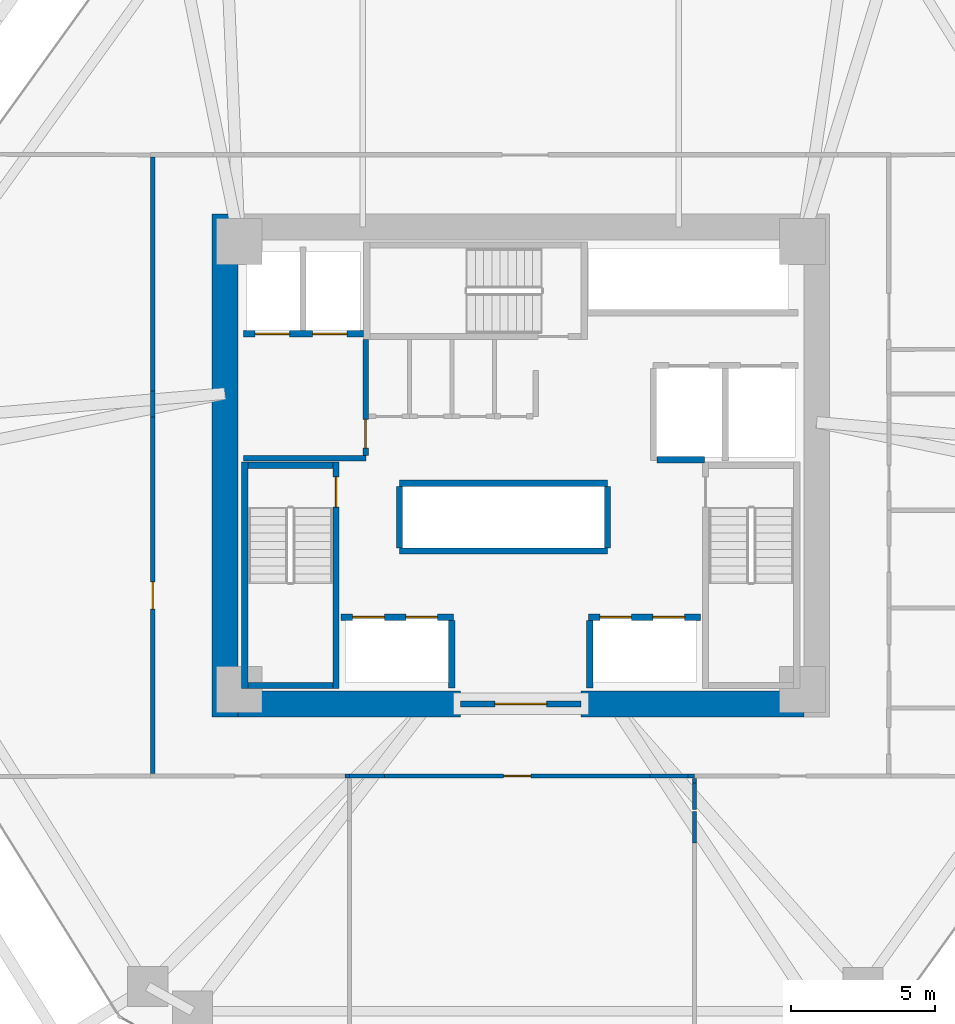
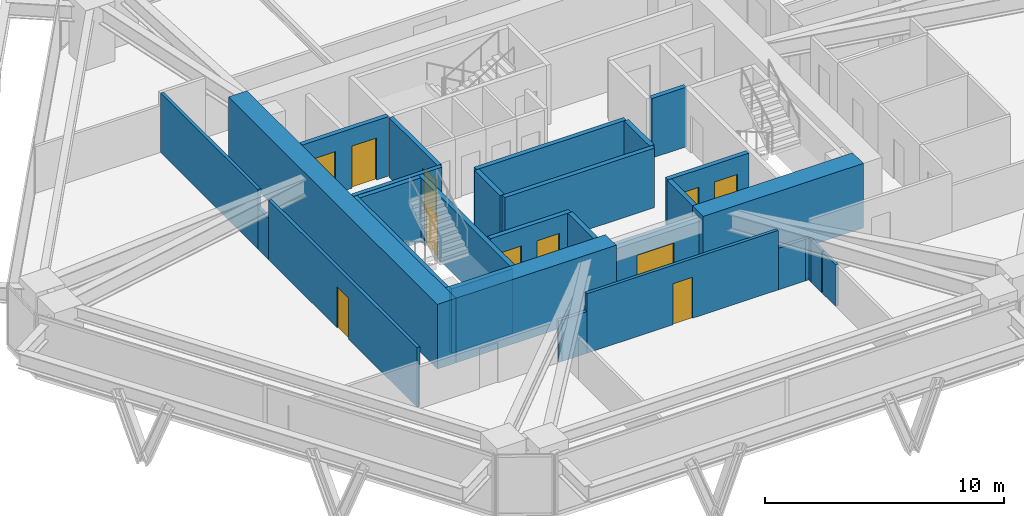
# One storey, part 11 of 14: 31 walls, 11 doors, 11 openings.
"""IFC4 building model written with IfcOpenShell, lengths in metres."""

from ifc_helpers import new_model, si_unit, direction, frame, frame_2d, origin, place, context, subcontext, project, spatial, rectangle, extrude, source, transform, mapped, material, layer, layer_set, type_object, type_shapes, element, fill, save


model = new_model("IFC4")

# Units and contexts
model_context = context("Model", 3, precision=1e-05, world=origin(), true_north=direction((0.0, 1.0)))
body_context = subcontext(model_context, "Body", "Model", "MODEL_VIEW")
ifc_project = project(units=[si_unit("LENGTHUNIT", "METRE"), si_unit("AREAUNIT", "SQUARE_METRE"), si_unit("VOLUMEUNIT", "CUBIC_METRE"), si_unit("PLANEANGLEUNIT", "RADIAN"), si_unit("MASSUNIT", "GRAM", prefix="KILO")], contexts=[model_context])

# Site, building, storey
site_placement = place(None, origin())
site = spatial("IfcSite", under=ifc_project, at=site_placement, CompositionType="ELEMENT")
building_placement = place(site_placement, origin())
building = spatial("IfcBuilding", under=site, at=building_placement, Name="Durnholm Broadcast Tower", CompositionType="ELEMENT")
storey_placement = place(building_placement, frame((0.0, 0.0, 68.699951171875)))
storey = spatial("IfcBuildingStorey", under=building, at=storey_placement, Name="L17", CompositionType="ELEMENT", Elevation=68.699951171875)

# Walls
ifc_material_1 = material(Name="Concrete C70/85", Category="concrete")
ifc_layer_1 = layer(ifc_material_1, 0.89990234375)
ifc_layer_set_1 = layer_set([ifc_layer_1], Name="Concrete C70/85")
wall_type_1 = type_object("IfcWallType", Name="WALL-CW-900", PredefinedType="SHEAR", material=ifc_layer_set_1)
wall_1_placement = place(storey_placement, frame((-10.300048828125, -8.75, 0.0), z_axis=(0.0, 0.0, 1.0), x_axis=(0.0, 1.0, 0.0)))
element("IfcWall", 1, at=wall_1_placement, inside=storey, type_object=wall_type_1, Name="L17 central core shear wall CW-WEST", PredefinedType="SHEAR", context=body_context, shape_type="SweptSolid", body=[
    extrude(rectangle(XDim=17.5, YDim=0.89990234375, at=frame_2d((8.75, 0.0))), origin(), (0.0, 0.0, 1.0), 3.300048828125),
])
for number, where, z_axis, x_axis, name in (
    (2, (-9.85009765625, -8.300048828125, 0.0), (0.0, 0.0, 1.0), (1.0, 0.0, 0.0), "L17 central core shear wall CW-S1"),
    (3, (2.10009765625, -8.300048828125, 0.0), (0.0, 0.0, 1.0), (1.0, 0.0, 0.0), "L17 central core shear wall CW-S2"),
):
    element("IfcWall", number, at=place(storey_placement, frame(where, z_axis=z_axis, x_axis=x_axis)), inside=storey, type_object=wall_type_1, Name=name, PredefinedType="SHEAR", context=body_context, shape_type="SweptSolid", body=[
        extrude(rectangle(XDim=7.75, YDim=0.89990234375, at=frame_2d((3.875, 0.0))), origin(), (0.0, 0.0, 1.0), 3.300048828125),
    ])

# Wall, opening, door
ifc_material_2 = material(Name="Fire-Rated Gypsum Shaftwall", Category="concrete")
ifc_layer_2 = layer(ifc_material_2, 0.199951171875)
ifc_layer_set_2 = layer_set([ifc_layer_2], Name="Fire-Rated Gypsum Shaftwall")
wall_type_2 = type_object("IfcWallType", Name="WALL-LOB-200", PredefinedType="SOLIDWALL", material=ifc_layer_set_2)
wall_2_placement = place(storey_placement, frame((-2.10009765625, -8.300048828125, 0.0), z_axis=(0.0, 0.0, 1.0), x_axis=(1.0, 0.0, 0.0)))
wall_2 = element("IfcWall", 4, at=wall_2_placement, inside=storey, type_object=wall_type_2, Name="L17 south core lobby fire screen", PredefinedType="SOLIDWALL", context=body_context, shape_type="SweptSolid", body=[
    extrude(rectangle(XDim=4.2001953125, YDim=0.199951171875, at=frame_2d((2.10009765625, 0.0))), origin(), (0.0, 0.0, 1.0), 3.045166015625),
])
opening_1_placement = place(wall_2_placement, frame((1.199951171875, 0.0, 0.0)))
opening_1 = element("IfcOpeningElement", 5, at=opening_1_placement, cuts=wall_2, Name="Opening DP-60", PredefinedType="OPENING", context=body_context, shape_type="SweptSolid", body=[
    extrude(rectangle(XDim=1.800048828125, YDim=2.14990234375, at=frame_2d((0.89990234375, 1.074951171875))), frame((0.0, 0.10986328125, 0.0), z_axis=(0.0, -1.0, 0.0), x_axis=(1.0, 0.0, 0.0)), (0.0, 0.0, 1.0), 0.219970703125),
])
ifc_material_3 = material(Name="Fire-Rated Double Corridor Door", Category="steel")
ifc_layer_3 = layer(ifc_material_3, 0.050048828125)
ifc_layer_set_3 = layer_set([ifc_layer_3], Name="Fire-Rated Double Corridor Door")
door_type_1 = type_object("IfcDoorType", Name="DOOR-PAIR-FD60", OperationType="DOUBLE_DOOR_SINGLE_SWING", PredefinedType="DOOR", material=ifc_layer_set_3)
shared_shape_1 = source(origin(), body_context, "Body", "SweptSolid", [
    extrude(rectangle(XDim=1.800048828125, YDim=2.14990234375, at=frame_2d((0.89990234375, 1.074951171875))), frame((0.0, 0.02490234375, 0.0), z_axis=(0.0, -1.0, 0.0), x_axis=(1.0, 0.0, 0.0)), (0.0, 0.0, 1.0), 0.050048828125),
])
type_shapes(door_type_1, [shared_shape_1])
door_1_placement = place(opening_1_placement, origin())
door_1 = element("IfcDoor", 6, at=door_1_placement, inside=storey, type_object=door_type_1, Name="L17 south core lobby double fire door", OperationType="DOUBLE_DOOR_SINGLE_SWING", OverallHeight=2.14990234375, OverallWidth=1.800048828125, PredefinedType="DOOR", context=body_context, shape_type="MappedRepresentation", body=[
    mapped(shared_shape_1, transform((0.0, 0.0, 0.0), x_axis=(1.0, 0.0, 0.0), y_axis=(0.0, 1.0, 0.0), z_axis=(0.0, 0.0, 1.0), scale=1.0)),
])
fill(opening_1, door_1)

# Wall
wall_3_placement = place(storey_placement, frame((-9.64990234375, 0.25, 0.0), z_axis=(0.0, 0.0, 1.0), x_axis=(1.0, 0.0, 0.0)))
element("IfcWall", 7, at=wall_3_placement, inside=storey, type_object=wall_type_2, Name="L17 Fire Service Access Elevator lobby south wall", PredefinedType="SOLIDWALL", context=body_context, shape_type="SweptSolid", body=[
    extrude(rectangle(XDim=4.27001953125, YDim=0.199951171875, at=frame_2d((2.135009765625, 0.0))), origin(), (0.0, 0.0, 1.0), 3.045166015625),
])

# Wall, opening, door
wall_4_placement = place(storey_placement, frame((-5.39990234375, 0.35400390625, 0.0), z_axis=(0.0, 0.0, 1.0), x_axis=(0.0, 1.0, 0.0)))
wall_4 = element("IfcWall", 8, at=wall_4_placement, inside=storey, type_object=wall_type_2, Name="L17 Fire Service Access Elevator lobby east fire wall", PredefinedType="SOLIDWALL", context=body_context, shape_type="SweptSolid", body=[
    extrude(rectangle(XDim=4.02587890625, YDim=0.199951171875, at=frame_2d((2.012939453125, 0.0))), origin(), (0.0, 0.0, 1.0), 3.045166015625),
])
opening_2_placement = place(wall_4_placement, frame((0.24609375, 0.0, 0.0)))
opening_2 = element("IfcOpeningElement", 9, at=opening_2_placement, cuts=wall_4, Name="Opening DL-60R", PredefinedType="OPENING", context=body_context, shape_type="SweptSolid", body=[
    extrude(rectangle(XDim=1.0, YDim=2.14990234375, at=frame_2d((0.5, 1.074951171875))), frame((0.0, 0.10986328125, 0.0), z_axis=(0.0, -1.0, 0.0), x_axis=(1.0, 0.0, 0.0)), (0.0, 0.0, 1.0), 0.219970703125),
])
ifc_material_4 = material(Name="Fire-Rated Timber/Steel Door", Category="steel")
ifc_layer_4 = layer(ifc_material_4, 0.050048828125)
ifc_layer_set_4 = layer_set([ifc_layer_4], Name="Fire-Rated Timber/Steel Door")
door_type_2 = type_object("IfcDoorType", Name="DOOR-LOB-FD60-R", OperationType="NOTDEFINED", PredefinedType="DOOR", material=ifc_layer_set_4)
shared_shape_2 = source(origin(), body_context, "Body", "SweptSolid", [
    extrude(rectangle(XDim=1.0, YDim=2.14990234375, at=frame_2d((0.5, 1.074951171875))), frame((0.0, 0.02490234375, 0.0), z_axis=(0.0, -1.0, 0.0), x_axis=(1.0, 0.0, 0.0)), (0.0, 0.0, 1.0), 0.050048828125),
])
type_shapes(door_type_2, [shared_shape_2])
door_2_placement = place(opening_2_placement, origin())
door_2 = element("IfcDoor", 10, at=door_2_placement, inside=storey, type_object=door_type_2, Name="L17 Fire Service Access Elevator lobby smoke door", OperationType="SINGLE_SWING_RIGHT", OverallHeight=2.14990234375, OverallWidth=1.0, PredefinedType="DOOR", context=body_context, shape_type="MappedRepresentation", body=[
    mapped(shared_shape_2, transform((0.0, 0.0, 0.0), x_axis=(1.0, 0.0, 0.0), y_axis=(0.0, 1.0, 0.0), z_axis=(0.0, 0.0, 1.0), scale=1.0)),
])
fill(opening_2, door_2)

# Walls
ifc_material_5 = material(Name="Gypsum Metal Stud Partition", Category="concrete")
ifc_layer_5 = layer(ifc_material_5, 0.135009765625)
ifc_layer_set_5 = layer_set([ifc_layer_5], Name="Gypsum Metal Stud Partition")
wall_type_3 = type_object("IfcWallType", Name="WALL-PART-135", PredefinedType="PARTITIONING", material=ifc_layer_set_5)
wall_5_placement = place(storey_placement, frame((6.0400390625, -10.888916015625, 0.0), z_axis=(0.0, 0.0, 1.0), x_axis=(0.0, -1.0, 0.0)))
element("IfcWall", 11, at=wall_5_placement, inside=storey, type_object=wall_type_3, Name="L17 room dividing partition 10.11", PredefinedType="PARTITIONING", context=body_context, shape_type="SweptSolid", body=[
    extrude(rectangle(XDim=0.17333984375, YDim=0.135009765625, at=frame_2d((0.086669921875, 0.0))), origin(), (0.0, 0.0, 1.0), 2.130126953125),
])
wall_6_placement = place(storey_placement, frame((6.0400390625, -11.062255859375, 0.0), z_axis=(0.0, 0.0, 1.0), x_axis=(0.0, -1.0, 0.0)))
element("IfcWall", 12, at=wall_6_placement, inside=storey, type_object=wall_type_3, Name="L17 room dividing partition 10.11", PredefinedType="PARTITIONING", context=body_context, shape_type="SweptSolid", body=[
    extrude(rectangle(XDim=0.912841796875, YDim=0.135009765625, at=frame_2d((0.45654296875, 0.0))), origin(), (0.0, 0.0, 1.0), 2.130126953125),
])
wall_7_placement = place(storey_placement, frame((6.0400390625, -12.043212890625, 0.0), z_axis=(0.0, 0.0, 1.0), x_axis=(0.0, -1.0, 0.0)))
element("IfcWall", 13, at=wall_7_placement, inside=storey, type_object=wall_type_3, Name="L17 room dividing partition 10.11", PredefinedType="PARTITIONING", context=body_context, shape_type="SweptSolid", body=[
    extrude(rectangle(XDim=1.09423828125, YDim=0.135009765625, at=frame_2d((0.547119140625, 0.0))), origin(), (0.0, 0.0, 1.0), 2.130126953125),
])
ifc_material_6 = material(Name="Acoustic Gypsum Stud Partition", Category="concrete")
ifc_layer_6 = layer(ifc_material_6, 0.14990234375)
ifc_layer_set_6 = layer_set([ifc_layer_6], Name="Acoustic Gypsum Stud Partition")
wall_type_4 = type_object("IfcWallType", Name="WALL-PART-150", PredefinedType="PARTITIONING", material=ifc_layer_set_6)
wall_8_placement = place(storey_placement, frame((-6.12158203125, -10.81005859375, 0.0), z_axis=(0.0, 0.0, 1.0), x_axis=(1.0, 0.0, 0.0)))
element("IfcWall", 14, at=wall_8_placement, inside=storey, type_object=wall_type_4, Name="L17 Open Plan Broadcast Workspace 3 corridor partition", PredefinedType="PARTITIONING", context=body_context, shape_type="SweptSolid", body=[
    extrude(rectangle(XDim=0.16162109375, YDim=0.14990234375, at=frame_2d((0.080810546875, 0.0))), origin(), (0.0, 0.0, 1.0), 2.130126953125),
])

# Wall, opening, door
wall_9_placement = place(storey_placement, frame((-4.749755859375, -10.81005859375, 0.0), z_axis=(0.0, 0.0, 1.0), x_axis=(1.0, 0.0, 0.0)))
wall_9 = element("IfcWall", 15, at=wall_9_placement, inside=storey, type_object=wall_type_4, Name="L17 Satellite Briefing Meeting Room corridor partition", PredefinedType="PARTITIONING", context=body_context, shape_type="SweptSolid", body=[
    extrude(rectangle(XDim=9.2490234375, YDim=0.14990234375, at=frame_2d((4.62451171875, 0.0))), origin(), (0.0, 0.0, 1.0), 3.045166015625),
])
opening_3_placement = place(wall_9_placement, frame((4.1494140625, 0.0, 0.0)))
opening_3 = element("IfcOpeningElement", 16, at=opening_3_placement, cuts=wall_9, Name="Opening DR-95L", PredefinedType="OPENING", context=body_context, shape_type="SweptSolid", body=[
    extrude(rectangle(XDim=0.949951171875, YDim=2.10009765625, at=frame_2d((0.47509765625, 1.050048828125))), frame((0.0, 0.0849609375, 0.0), z_axis=(0.0, -1.0, 0.0), x_axis=(1.0, 0.0, 0.0)), (0.0, 0.0, 1.0), 0.169921875),
])
ifc_material_7 = material(Name="Acoustic Oak Veneer Timber Door", Category="wood")
ifc_layer_7 = layer(ifc_material_7, 0.050048828125)
ifc_layer_set_7 = layer_set([ifc_layer_7], Name="Acoustic Oak Veneer Timber Door")
door_type_3 = type_object("IfcDoorType", Name="DOOR-RM-950L", OperationType="NOTDEFINED", PredefinedType="DOOR", material=ifc_layer_set_7)
shared_shape_3 = source(origin(), body_context, "Body", "SweptSolid", [
    extrude(rectangle(XDim=0.949951171875, YDim=2.10009765625, at=frame_2d((0.47509765625, 1.050048828125))), frame((0.0, 0.02490234375, 0.0), z_axis=(0.0, -1.0, 0.0), x_axis=(1.0, 0.0, 0.0)), (0.0, 0.0, 1.0), 0.050048828125),
])
type_shapes(door_type_3, [shared_shape_3])
door_3_placement = place(opening_3_placement, origin())
door_3 = element("IfcDoor", 17, at=door_3_placement, inside=storey, type_object=door_type_3, Name="L17 Satellite Briefing Meeting Room entrance door", OperationType="SINGLE_SWING_LEFT", OverallHeight=2.10009765625, OverallWidth=0.949951171875, PredefinedType="DOOR", context=body_context, shape_type="MappedRepresentation", body=[
    mapped(shared_shape_3, transform((0.0, 0.0, 0.0), x_axis=(1.0, 0.0, 0.0), y_axis=(0.0, 1.0, 0.0), z_axis=(0.0, 0.0, 1.0), scale=1.0)),
])
fill(opening_3, door_3)

# Walls
wall_10_placement = place(storey_placement, frame((5.8173828125, -10.81005859375, 0.0), z_axis=(0.0, 0.0, 1.0), x_axis=(1.0, 0.0, 0.0)))
element("IfcWall", 18, at=wall_10_placement, inside=storey, type_object=wall_type_4, Name="L17 Satellite Briefing Meeting Room corridor partition", PredefinedType="PARTITIONING", context=body_context, shape_type="SweptSolid", body=[
    extrude(rectangle(XDim=0.22265625, YDim=0.14990234375, at=frame_2d((0.111328125, 0.0))), origin(), (0.0, 0.0, 1.0), 2.130126953125),
])
wall_11_placement = place(storey_placement, frame((-5.9599609375, -10.81005859375, 0.0), z_axis=(0.0, 0.0, 1.0), x_axis=(1.0, 0.0, 0.0)))
element("IfcWall", 19, at=wall_11_placement, inside=storey, type_object=wall_type_4, Name="L17 Satellite Briefing Meeting Room corridor partition", PredefinedType="PARTITIONING", context=body_context, shape_type="SweptSolid", body=[
    extrude(rectangle(XDim=1.210205078125, YDim=0.14990234375, at=frame_2d((0.60498046875, 0.0))), origin(), (0.0, 0.0, 1.0), 2.130126953125),
])
wall_12_placement = place(storey_placement, frame((4.499267578125, -10.81005859375, 0.0), z_axis=(0.0, 0.0, 1.0), x_axis=(1.0, 0.0, 0.0)))
element("IfcWall", 20, at=wall_12_placement, inside=storey, type_object=wall_type_4, Name="L17 Satellite Briefing Meeting Room corridor partition", PredefinedType="PARTITIONING", context=body_context, shape_type="SweptSolid", body=[
    extrude(rectangle(XDim=1.318115234375, YDim=0.14990234375, at=frame_2d((0.6591796875, 0.0))), origin(), (0.0, 0.0, 1.0), 2.130126953125),
])
wall_13_placement = place(storey_placement, frame((-12.81005859375, 10.73095703125, 0.0), z_axis=(0.0, 0.0, 1.0), x_axis=(0.0, -1.0, 0.0)))
element("IfcWall", 21, at=wall_13_placement, inside=storey, type_object=wall_type_4, Name="L17 Catering Kitchen corridor partition", PredefinedType="PARTITIONING", context=body_context, shape_type="SweptSolid", body=[
    extrude(rectangle(XDim=8.138671875, YDim=0.14990234375, at=frame_2d((4.0693359375, 0.0))), origin(), (0.0, 0.0, 1.0), 3.045166015625),
])

# Wall, opening, door
wall_14_placement = place(storey_placement, frame((-12.81005859375, 1.682373046875, 0.0), z_axis=(0.0, 0.0, 1.0), x_axis=(0.0, -1.0, 0.0)))
wall_14 = element("IfcWall", 22, at=wall_14_placement, inside=storey, type_object=wall_type_4, Name="L17 Catering Kitchen corridor partition", PredefinedType="PARTITIONING", context=body_context, shape_type="SweptSolid", body=[
    extrude(rectangle(XDim=12.413330078125, YDim=0.14990234375, at=frame_2d((6.20654296875, 0.0))), origin(), (0.0, 0.0, 1.0), 3.045166015625),
])
opening_4_placement = place(wall_14_placement, frame((5.731689453125, 0.0, 0.0)))
opening_4 = element("IfcOpeningElement", 23, at=opening_4_placement, cuts=wall_14, Name="Opening DR-95L", PredefinedType="OPENING", context=body_context, shape_type="SweptSolid", body=[
    extrude(rectangle(XDim=0.949951171875, YDim=2.10009765625, at=frame_2d((0.47509765625, 1.050048828125))), frame((0.0, 0.0849609375, 0.0), z_axis=(0.0, -1.0, 0.0), x_axis=(1.0, 0.0, 0.0)), (0.0, 0.0, 1.0), 0.169921875),
])
door_4_placement = place(opening_4_placement, origin())
door_4 = element("IfcDoor", 24, at=door_4_placement, inside=storey, type_object=door_type_3, Name="L17 Catering Kitchen entrance door", OperationType="SINGLE_SWING_LEFT", OverallHeight=2.10009765625, OverallWidth=0.949951171875, PredefinedType="DOOR", context=body_context, shape_type="MappedRepresentation", body=[
    mapped(shared_shape_3, transform((0.0, 0.0, 0.0), x_axis=(1.0, 0.0, 0.0), y_axis=(0.0, 1.0, 0.0), z_axis=(0.0, 0.0, 1.0), scale=1.0)),
])
fill(opening_4, door_4)

# Wall
wall_15_placement = place(storey_placement, frame((-12.81005859375, 2.59228515625, 0.0), z_axis=(0.0, 0.0, 1.0), x_axis=(0.0, -1.0, 0.0)))
element("IfcWall", 25, at=wall_15_placement, inside=storey, type_object=wall_type_4, Name="L17 Catering Kitchen corridor partition", PredefinedType="PARTITIONING", context=body_context, shape_type="SweptSolid", body=[
    extrude(rectangle(XDim=0.909912109375, YDim=0.14990234375, at=frame_2d((0.455078125, 0.0))), origin(), (0.0, 0.0, 1.0), 2.130126953125),
])

# Wall, openings, doors
ifc_material_8 = material(Name="Concrete Blockwork C30/37", Category="masonry")
ifc_layer_8 = layer(ifc_material_8, 0.219970703125)
ifc_layer_set_8 = layer_set([ifc_layer_8], Name="Concrete Blockwork C30/37")
wall_type_5 = type_object("IfcWallType", Name="WALL-SHAFT-220", PredefinedType="SOLIDWALL", material=ifc_layer_set_8)
wall_16_placement = place(storey_placement, frame((-9.64990234375, 4.580078125, 0.0), z_axis=(0.0, 0.0, 1.0), x_axis=(1.0, 0.0, 0.0)))
wall_16 = element("IfcWall", 26, at=wall_16_placement, inside=storey, type_object=wall_type_5, Name="L17 FSAE hoistway front fire wall", PredefinedType="SOLIDWALL", context=body_context, shape_type="SweptSolid", body=[
    extrude(rectangle(XDim=4.1748046875, YDim=0.219970703125, at=frame_2d((2.08740234375, 0.0))), origin(), (0.0, 0.0, 1.0), 3.045166015625),
])
opening_5_placement = place(wall_16_placement, frame((0.39990234375, 0.0, 0.0)))
opening_5 = element("IfcOpeningElement", 27, at=opening_5_placement, cuts=wall_16, Name="Opening LD-FSAE-2", PredefinedType="OPENING", context=body_context, shape_type="SweptSolid", body=[
    extrude(rectangle(XDim=1.199951171875, YDim=2.14990234375, at=frame_2d((0.60009765625, 1.074951171875))), frame((0.0, 0.1201171875, 0.0), z_axis=(0.0, -1.0, 0.0), x_axis=(1.0, 0.0, 0.0)), (0.0, 0.0, 1.0), 0.239990234375),
])
opening_6_placement = place(wall_16_placement, frame((2.39990234375, 0.0, 0.0)))
opening_6 = element("IfcOpeningElement", 28, at=opening_6_placement, cuts=wall_16, Name="Opening LD-FSAE-1", PredefinedType="OPENING", context=body_context, shape_type="SweptSolid", body=[
    extrude(rectangle(XDim=1.199951171875, YDim=2.14990234375, at=frame_2d((0.60009765625, 1.074951171875))), frame((0.0, 0.1201171875, 0.0), z_axis=(0.0, -1.0, 0.0), x_axis=(1.0, 0.0, 0.0)), (0.0, 0.0, 1.0), 0.239990234375),
])
ifc_material_9 = material(Name="Fire Service Access Sliding Landing Door", Category="steel")
ifc_layer_9 = layer(ifc_material_9, 0.050048828125)
ifc_layer_set_9 = layer_set([ifc_layer_9], Name="Fire Service Access Sliding Landing Door")
door_type_4 = type_object("IfcDoorType", Name="DOOR-LIFT-FSAE", OperationType="DOUBLE_DOOR_SLIDING", PredefinedType="DOOR", material=ifc_layer_set_9)
shared_shape_4 = source(origin(), body_context, "Body", "SweptSolid", [
    extrude(rectangle(XDim=1.199951171875, YDim=2.14990234375, at=frame_2d((0.60009765625, 1.074951171875))), frame((0.0, 0.02490234375, 0.0), z_axis=(0.0, -1.0, 0.0), x_axis=(1.0, 0.0, 0.0)), (0.0, 0.0, 1.0), 0.050048828125),
])
type_shapes(door_type_4, [shared_shape_4])
door_5_placement = place(opening_5_placement, origin())
door_5 = element("IfcDoor", 29, at=door_5_placement, inside=storey, type_object=door_type_4, Name="L17 Fire Service Access Elevator FSAE-2 sliding landing door", OperationType="DOUBLE_DOOR_SLIDING", OverallHeight=2.14990234375, OverallWidth=1.199951171875, PredefinedType="DOOR", context=body_context, shape_type="MappedRepresentation", body=[
    mapped(shared_shape_4, transform((0.0, 0.0, 0.0), x_axis=(1.0, 0.0, 0.0), y_axis=(0.0, 1.0, 0.0), z_axis=(0.0, 0.0, 1.0), scale=1.0)),
])
fill(opening_5, door_5)
door_6_placement = place(opening_6_placement, origin())
door_6 = element("IfcDoor", 30, at=door_6_placement, inside=storey, type_object=door_type_4, Name="L17 Fire Service Access Elevator FSAE-1 sliding landing door", OperationType="DOUBLE_DOOR_SLIDING", OverallHeight=2.14990234375, OverallWidth=1.199951171875, PredefinedType="DOOR", context=body_context, shape_type="MappedRepresentation", body=[
    mapped(shared_shape_4, transform((0.0, 0.0, 0.0), x_axis=(1.0, 0.0, 0.0), y_axis=(0.0, 1.0, 0.0), z_axis=(0.0, 0.0, 1.0), scale=1.0)),
])
fill(opening_6, door_6)

# Wall
wall_17_placement = place(storey_placement, frame((4.73388671875, 0.199951171875, 0.0), z_axis=(0.0, 0.0, 1.0), x_axis=(1.0, 0.0, 0.0)))
element("IfcWall", 31, at=wall_17_placement, inside=storey, type_object=wall_type_5, Name="L17 freight service lift SVL-2 south wall", PredefinedType="SOLIDWALL", context=body_context, shape_type="SweptSolid", body=[
    extrude(rectangle(XDim=1.666015625, YDim=0.219970703125, at=frame_2d((0.8330078125, 0.0))), origin(), (0.0, 0.0, 1.0), 3.045166015625),
])

# Wall, openings, doors
wall_18_placement = place(storey_placement, frame((-6.25, -5.280029296875, 0.0), z_axis=(0.0, 0.0, 1.0), x_axis=(1.0, 0.0, 0.0)))
wall_18 = element("IfcWall", 32, at=wall_18_placement, inside=storey, type_object=wall_type_5, Name="L17 low-rise bank P1 west front wall", PredefinedType="SOLIDWALL", context=body_context, shape_type="SweptSolid", body=[
    extrude(rectangle(XDim=3.89990234375, YDim=0.219970703125, at=frame_2d((1.949951171875, 0.0))), origin(), (0.0, 0.0, 1.0), 3.045166015625),
])
opening_7_placement = place(wall_18_placement, frame((0.39990234375, 0.0, 0.0)))
opening_7 = element("IfcOpeningElement", 33, at=opening_7_placement, cuts=wall_18, Name="Opening LD-LP1-1", PredefinedType="OPENING", context=body_context, shape_type="SweptSolid", body=[
    extrude(rectangle(XDim=1.10009765625, YDim=2.14990234375, at=frame_2d((0.550048828125, 1.074951171875))), frame((0.0, 0.1201171875, 0.0), z_axis=(0.0, -1.0, 0.0), x_axis=(1.0, 0.0, 0.0)), (0.0, 0.0, 1.0), 0.239990234375),
])
opening_8_placement = place(wall_18_placement, frame((2.25, 0.0, 0.0)))
opening_8 = element("IfcOpeningElement", 34, at=opening_8_placement, cuts=wall_18, Name="Opening LD-LP1-2", PredefinedType="OPENING", context=body_context, shape_type="SweptSolid", body=[
    extrude(rectangle(XDim=1.10009765625, YDim=2.14990234375, at=frame_2d((0.550048828125, 1.074951171875))), frame((0.0, 0.1201171875, 0.0), z_axis=(0.0, -1.0, 0.0), x_axis=(1.0, 0.0, 0.0)), (0.0, 0.0, 1.0), 0.239990234375),
])
ifc_material_10 = material(Name="Stainless Steel Sliding Elevator Landing Door", Category="steel")
ifc_layer_10 = layer(ifc_material_10, 0.050048828125)
ifc_layer_set_10 = layer_set([ifc_layer_10], Name="Stainless Steel Sliding Elevator Landing Door")
door_type_5 = type_object("IfcDoorType", Name="DOOR-LIFT-PAX", OperationType="DOUBLE_DOOR_SLIDING", PredefinedType="DOOR", material=ifc_layer_set_10)
shared_shape_5 = source(origin(), body_context, "Body", "SweptSolid", [
    extrude(rectangle(XDim=1.10009765625, YDim=2.14990234375, at=frame_2d((0.550048828125, 1.074951171875))), frame((0.0, 0.02490234375, 0.0), z_axis=(0.0, -1.0, 0.0), x_axis=(1.0, 0.0, 0.0)), (0.0, 0.0, 1.0), 0.050048828125),
])
type_shapes(door_type_5, [shared_shape_5])
door_7_placement = place(opening_7_placement, origin())
door_7 = element("IfcDoor", 35, at=door_7_placement, inside=storey, type_object=door_type_5, Name="L17 passenger elevator LP1-1 sliding landing door", OperationType="DOUBLE_DOOR_SLIDING", OverallHeight=2.14990234375, OverallWidth=1.10009765625, PredefinedType="DOOR", context=body_context, shape_type="MappedRepresentation", body=[
    mapped(shared_shape_5, transform((0.0, 0.0, 0.0), x_axis=(1.0, 0.0, 0.0), y_axis=(0.0, 1.0, 0.0), z_axis=(0.0, 0.0, 1.0), scale=1.0)),
])
fill(opening_7, door_7)
door_8_placement = place(opening_8_placement, origin())
door_8 = element("IfcDoor", 36, at=door_8_placement, inside=storey, type_object=door_type_5, Name="L17 passenger elevator LP1-2 sliding landing door", OperationType="DOUBLE_DOOR_SLIDING", OverallHeight=2.14990234375, OverallWidth=1.10009765625, PredefinedType="DOOR", context=body_context, shape_type="MappedRepresentation", body=[
    mapped(shared_shape_5, transform((0.0, 0.0, 0.0), x_axis=(1.0, 0.0, 0.0), y_axis=(0.0, 1.0, 0.0), z_axis=(0.0, 0.0, 1.0), scale=1.0)),
])
fill(opening_8, door_8)

wall_19_placement = place(storey_placement, frame((2.35009765625, -5.280029296875, 0.0), z_axis=(0.0, 0.0, 1.0), x_axis=(1.0, 0.0, 0.0)))
wall_19 = element("IfcWall", 37, at=wall_19_placement, inside=storey, type_object=wall_type_5, Name="L17 low-rise bank P1 east front wall", PredefinedType="SOLIDWALL", context=body_context, shape_type="SweptSolid", body=[
    extrude(rectangle(XDim=3.89990234375, YDim=0.219970703125, at=frame_2d((1.949951171875, 0.0))), origin(), (0.0, 0.0, 1.0), 3.045166015625),
])
opening_9_placement = place(wall_19_placement, frame((0.39990234375, 0.0, 0.0)))
opening_9 = element("IfcOpeningElement", 38, at=opening_9_placement, cuts=wall_19, Name="Opening LD-LP1-3", PredefinedType="OPENING", context=body_context, shape_type="SweptSolid", body=[
    extrude(rectangle(XDim=1.10009765625, YDim=2.14990234375, at=frame_2d((0.550048828125, 1.074951171875))), frame((0.0, 0.1201171875, 0.0), z_axis=(0.0, -1.0, 0.0), x_axis=(1.0, 0.0, 0.0)), (0.0, 0.0, 1.0), 0.239990234375),
])
opening_10_placement = place(wall_19_placement, frame((2.25, 0.0, 0.0)))
opening_10 = element("IfcOpeningElement", 39, at=opening_10_placement, cuts=wall_19, Name="Opening LD-LP1-4", PredefinedType="OPENING", context=body_context, shape_type="SweptSolid", body=[
    extrude(rectangle(XDim=1.10009765625, YDim=2.14990234375, at=frame_2d((0.550048828125, 1.074951171875))), frame((0.0, 0.1201171875, 0.0), z_axis=(0.0, -1.0, 0.0), x_axis=(1.0, 0.0, 0.0)), (0.0, 0.0, 1.0), 0.239990234375),
])
door_9_placement = place(opening_9_placement, origin())
door_9 = element("IfcDoor", 40, at=door_9_placement, inside=storey, type_object=door_type_5, Name="L17 passenger elevator LP1-3 sliding landing door", OperationType="DOUBLE_DOOR_SLIDING", OverallHeight=2.14990234375, OverallWidth=1.10009765625, PredefinedType="DOOR", context=body_context, shape_type="MappedRepresentation", body=[
    mapped(shared_shape_5, transform((0.0, 0.0, 0.0), x_axis=(1.0, 0.0, 0.0), y_axis=(0.0, 1.0, 0.0), z_axis=(0.0, 0.0, 1.0), scale=1.0)),
])
fill(opening_9, door_9)
door_10_placement = place(opening_10_placement, origin())
door_10 = element("IfcDoor", 41, at=door_10_placement, inside=storey, type_object=door_type_5, Name="L17 passenger elevator LP1-4 sliding landing door", OperationType="DOUBLE_DOOR_SLIDING", OverallHeight=2.14990234375, OverallWidth=1.10009765625, PredefinedType="DOOR", context=body_context, shape_type="MappedRepresentation", body=[
    mapped(shared_shape_5, transform((0.0, 0.0, 0.0), x_axis=(1.0, 0.0, 0.0), y_axis=(0.0, 1.0, 0.0), z_axis=(0.0, 0.0, 1.0), scale=1.0)),
])
fill(opening_10, door_10)

# Walls
for number, where, z_axis, x_axis, name in (
    (42, (-2.39990234375, -7.75, 0.0), (0.0, 0.0, 1.0), (0.0, 1.0, 0.0), "L17 low-rise bank P1 west mouth wall"),
    (43, (2.39990234375, -7.75, 0.0), (0.0, 0.0, 1.0), (0.0, 1.0, 0.0), "L17 low-rise bank P1 east mouth wall"),
):
    element("IfcWall", number, at=place(storey_placement, frame(where, z_axis=z_axis, x_axis=x_axis)), inside=storey, type_object=wall_type_5, Name=name, PredefinedType="SOLIDWALL", context=body_context, shape_type="SweptSolid", body=[
        extrude(rectangle(XDim=2.35595703125, YDim=0.219970703125, at=frame_2d((1.177978515625, 0.0))), origin(), (0.0, 0.0, 1.0), 3.045166015625),
    ])
for number, where, z_axis, x_axis, name in (
    (44, (-4.219970703125, -2.97998046875, 0.0), (0.0, 0.0, 1.0), (1.0, 0.0, 0.0), "L17 mid-rise bank P2 south front wall"),
    (45, (-4.219970703125, -0.6201171875, 0.0), (0.0, 0.0, 1.0), (1.0, 0.0, 0.0), "L17 mid-rise bank P2 north shaft wall"),
):
    element("IfcWall", number, at=place(storey_placement, frame(where, z_axis=z_axis, x_axis=x_axis)), inside=storey, type_object=wall_type_5, Name=name, PredefinedType="SOLIDWALL", context=body_context, shape_type="SweptSolid", body=[
        extrude(rectangle(XDim=7.239990234375, YDim=0.219970703125, at=frame_2d((3.6201171875, 0.0))), origin(), (0.0, 0.0, 1.0), 3.045166015625),
    ])
for number, where, z_axis, x_axis, name in (
    (46, (-4.219970703125, -2.865966796875, 0.0), (0.0, 0.0, 1.0), (0.0, 1.0, 0.0), "L17 mid-rise bank P2 west shaft wall"),
    (47, (3.02001953125, -2.865966796875, 0.0), (0.0, 0.0, 1.0), (0.0, 1.0, 0.0), "L17 mid-rise bank P2 east shaft wall"),
):
    element("IfcWall", number, at=place(storey_placement, frame(where, z_axis=z_axis, x_axis=x_axis)), inside=storey, type_object=wall_type_5, Name=name, PredefinedType="SOLIDWALL", context=body_context, shape_type="SweptSolid", body=[
        extrude(rectangle(XDim=2.132080078125, YDim=0.219970703125, at=frame_2d((1.06591796875, 0.0))), origin(), (0.0, 0.0, 1.0), 3.045166015625),
    ])

# Wall, opening, door
ifc_material_11 = material(Name="Concrete C50/60", Category="concrete")
ifc_layer_11 = layer(ifc_material_11, 0.219970703125)
ifc_layer_set_11 = layer_set([ifc_layer_11], Name="Concrete C50/60")
wall_type_6 = type_object("IfcWallType", Name="WALL-SW-220", PredefinedType="SHEAR", material=ifc_layer_set_11)
wall_20_placement = place(storey_placement, frame((-6.429931640625, -7.77001953125, -0.239990234375), z_axis=(0.0, 0.0, 1.0), x_axis=(0.0, 1.0, 0.0)))
wall_20 = element("IfcWall", 48, at=wall_20_placement, inside=storey, type_object=wall_type_6, Name="L17 stair ST-1 structural shaft wall E", PredefinedType="SHEAR", context=body_context, shape_type="SweptSolid", body=[
    extrude(rectangle(XDim=7.89013671875, YDim=0.219970703125, at=frame_2d((3.945068359375, 0.0))), origin(), (0.0, 0.0, 1.0), 3.300048828125),
])
opening_11_placement = place(wall_20_placement, frame((6.320068359375, 0.0, 0.0)))
opening_11 = element("IfcOpeningElement", 49, at=opening_11_placement, cuts=wall_20, Name="Opening DS-90L", PredefinedType="OPENING", context=body_context, shape_type="SweptSolid", body=[
    extrude(rectangle(XDim=1.050048828125, YDim=2.14990234375, at=frame_2d((0.52490234375, 1.074951171875))), frame((0.0, 0.1201171875, 0.0), z_axis=(0.0, -1.0, 0.0), x_axis=(1.0, 0.0, 0.0)), (0.0, 0.0, 1.0), 0.239990234375),
])
ifc_material_12 = material(Name="Fire-Rated Steel Door", Category="steel")
ifc_layer_12 = layer(ifc_material_12, 0.050048828125)
ifc_layer_set_12 = layer_set([ifc_layer_12], Name="Fire-Rated Steel Door")
door_type_6 = type_object("IfcDoorType", Name="DOOR-ST-FD90-L", OperationType="NOTDEFINED", PredefinedType="DOOR", material=ifc_layer_set_12)
shared_shape_6 = source(origin(), body_context, "Body", "SweptSolid", [
    extrude(rectangle(XDim=1.050048828125, YDim=2.14990234375, at=frame_2d((0.52490234375, 1.074951171875))), frame((0.0, 0.02490234375, 0.0), z_axis=(0.0, -1.0, 0.0), x_axis=(1.0, 0.0, 0.0)), (0.0, 0.0, 1.0), 0.050048828125),
])
type_shapes(door_type_6, [shared_shape_6])
door_11_placement = place(opening_11_placement, origin())
door_11 = element("IfcDoor", 50, at=door_11_placement, inside=storey, type_object=door_type_6, Name="L17 exit stair ST-1 fire door", OperationType="SINGLE_SWING_LEFT", OverallHeight=2.14990234375, OverallWidth=1.050048828125, PredefinedType="DOOR", context=body_context, shape_type="MappedRepresentation", body=[
    mapped(shared_shape_6, transform((0.0, 0.0, 0.0), x_axis=(1.0, 0.0, 0.0), y_axis=(0.0, 1.0, 0.0), z_axis=(0.0, 0.0, 1.0), scale=1.0)),
])
fill(opening_11, door_11)

# Walls
wall_21_placement = place(storey_placement, frame((-9.610107421875, 0.1201171875, -0.239990234375), z_axis=(0.0, 0.0, 1.0), x_axis=(0.0, -1.0, 0.0)))
element("IfcWall", 51, at=wall_21_placement, inside=storey, type_object=wall_type_6, Name="L17 stair ST-1 structural shaft wall W", PredefinedType="SHEAR", context=body_context, shape_type="SweptSolid", body=[
    extrude(rectangle(XDim=7.89013671875, YDim=0.219970703125, at=frame_2d((3.945068359375, 0.0))), origin(), (0.0, 0.0, 1.0), 3.300048828125),
])
for number, where, z_axis, x_axis, name in (
    (52, (-9.5, -7.659912109375, -0.239990234375), (0.0, 0.0, 1.0), (1.0, 0.0, 0.0), "L17 stair ST-1 structural shaft wall S"),
    (53, (-6.5400390625, 0.010009765625, -0.239990234375), (0.0, 0.0, 1.0), (-1.0, 0.0, 0.0), "L17 stair ST-1 structural shaft wall N"),
):
    element("IfcWall", number, at=place(storey_placement, frame(where, z_axis=z_axis, x_axis=x_axis)), inside=storey, type_object=wall_type_6, Name=name, PredefinedType="SHEAR", context=body_context, shape_type="SweptSolid", body=[
        extrude(rectangle(XDim=2.9599609375, YDim=0.219970703125, at=frame_2d((1.47998046875, 0.0))), origin(), (0.0, 0.0, 1.0), 3.300048828125),
    ])

save(model, "model.ifc")
